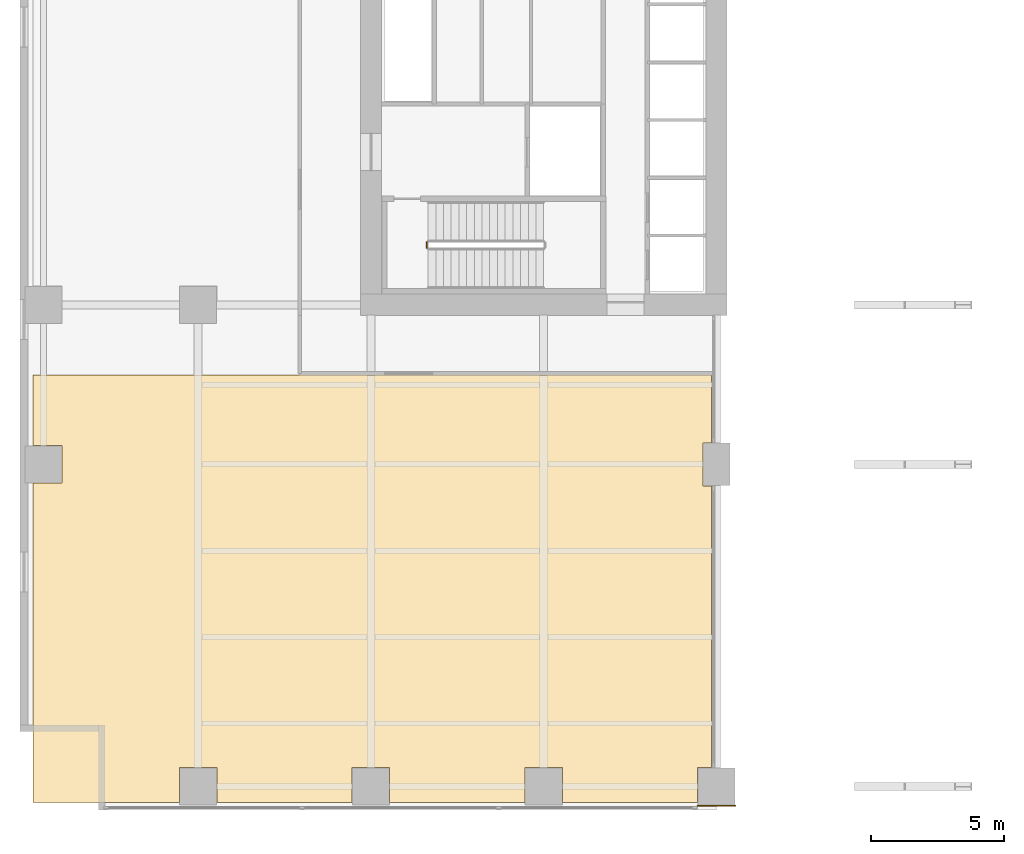
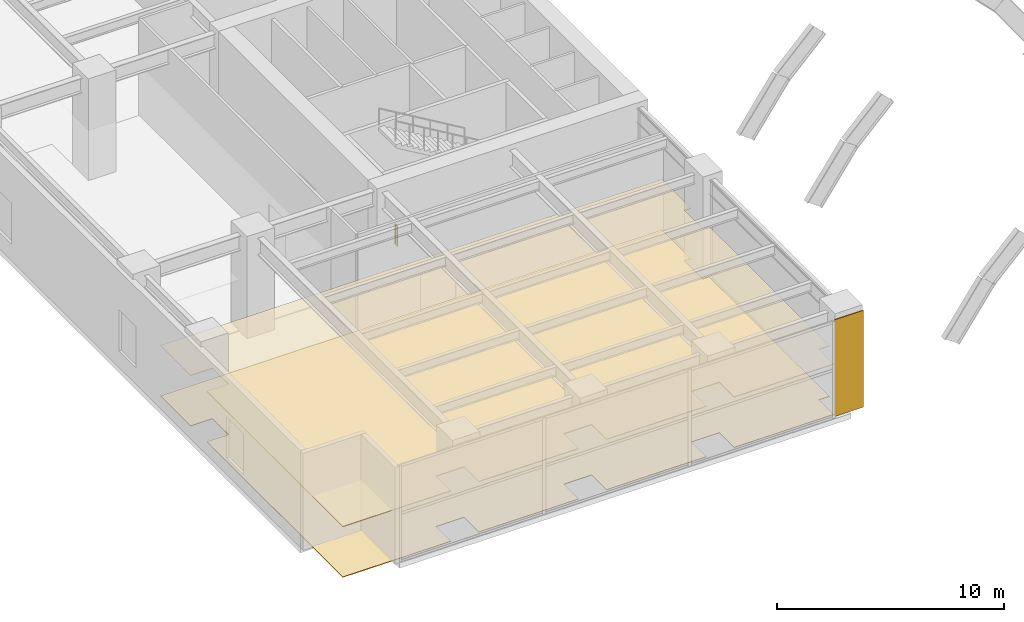
# One storey, part 14 of 18: 3 coverings, 1 railing.
"""IFC4 building model written with IfcOpenShell, lengths in metres."""

from ifc_helpers import new_model, si_unit, direction, frame, origin, origin_2d, place, context, subcontext, project, spatial, polyline, rectangle, circle, outline, extrude, material, layer, layer_set, type_object, element, save


model = new_model("IFC4")

# Units and contexts
model_context = context("Model", 3, precision=1e-05, world=origin(), true_north=direction((0.0, 1.0)))
body_context = subcontext(model_context, "Body", "Model", "MODEL_VIEW")
ifc_project = project(units=[si_unit("LENGTHUNIT", "METRE"), si_unit("AREAUNIT", "SQUARE_METRE"), si_unit("VOLUMEUNIT", "CUBIC_METRE"), si_unit("PLANEANGLEUNIT", "RADIAN"), si_unit("MASSUNIT", "GRAM", prefix="KILO")], contexts=[model_context])

# Site, building, storey
site_placement = place(None, origin())
site = spatial("IfcSite", under=ifc_project, at=site_placement, CompositionType="ELEMENT")
building_placement = place(site_placement, origin())
building = spatial("IfcBuilding", under=site, at=building_placement, Name="Putna Gate Headquarters", CompositionType="ELEMENT")
storey_placement = place(building_placement, frame((0.0, 0.0, 11.5)))
storey = spatial("IfcBuildingStorey", under=building, at=storey_placement, Name="L02", CompositionType="ELEMENT", Elevation=11.5)

# Coverings
ifc_material_1 = material(Name="Perforated mineral-fibre acoustic ceiling tile")
ifc_layer_1 = layer(ifc_material_1, 0.0400390625)
ifc_layer_set_1 = layer_set([ifc_layer_1], Name="Perforated mineral-fibre acoustic ceiling tile")
covering_type_1 = type_object("IfcCoveringType", Name="COV-ACOUSTIC-CEILING", PredefinedType="CEILING", material=ifc_layer_set_1)
covering_1_placement = place(storey_placement, frame((0.0, 0.0, 2.7099609375)))
element("IfcCovering", 1, at=covering_1_placement, inside=storey, type_object=covering_type_1, Name="L02 Acoustic Ceiling Covering 1", PredefinedType="CEILING", context=body_context, shape_type="SweptSolid", body=[
    extrude(outline(polyline([(0.280029296875, 13.7080078125), (1.387939453125, 13.7080078125), (1.387939453125, 12.2919921875), (0.280029296875, 12.2919921875), (0.280029296875, 0.280029296875), (5.7919921875, 0.280029296875), (5.7919921875, 1.587890625), (7.2080078125, 1.587890625), (7.2080078125, 0.280029296875), (12.2919921875, 0.280029296875), (12.2919921875, 1.587890625), (13.7080078125, 1.587890625), (13.7080078125, 0.280029296875), (18.7919921875, 0.280029296875), (18.7919921875, 1.587890625), (20.2080078125, 1.587890625), (20.2080078125, 0.280029296875), (25.2919921875, 0.280029296875), (25.2919921875, 1.587890625), (25.820068359375, 1.587890625), (25.820068359375, 12.19189453125), (25.491943359375, 12.19189453125), (25.491943359375, 13.80810546875), (25.820068359375, 13.80810546875), (25.820068359375, 16.3701171875), (0.280029296875, 16.3701171875), (0.280029296875, 13.7080078125)])), origin(), (0.0, 0.0, 1.0), 0.0400390625),
])
ifc_material_2 = material(Name="Anodised architectural bronze rainscreen cladding", Category="aluminium")
ifc_layer_2 = layer(ifc_material_2, 0.0400390625)
ifc_layer_set_2 = layer_set([ifc_layer_2], Name="Anodised architectural bronze rainscreen cladding")
covering_type_2 = type_object("IfcCoveringType", Name="COV-BRONZE-CLADDING", PredefinedType="CLADDING", material=ifc_layer_set_2)
covering_2_placement = place(storey_placement, frame((26.0, 0.1650390625, 0.0), z_axis=(0.0, 0.0, 1.0), x_axis=(1.0, 0.0, 0.0)))
element("IfcCovering", 2, at=covering_2_placement, inside=storey, type_object=covering_type_2, Name="L02 Giant Arch Pier Bronze Cladding WS", PredefinedType="CLADDING", context=body_context, shape_type="SweptSolid", body=[
    extrude(rectangle(XDim=1.43994140625, YDim=0.0400390625, at=origin_2d()), origin(), (0.0, 0.0, 1.0), 5.219970703125),
])
ifc_material_3 = material(Name="Calcium-sulphate raised access floor finish")
ifc_layer_3 = layer(ifc_material_3, 0.030029296875)
ifc_layer_set_3 = layer_set([ifc_layer_3], Name="Calcium-sulphate raised access floor finish")
covering_type_3 = type_object("IfcCoveringType", Name="COV-RAISED-FLOORING", PredefinedType="FLOORING", material=ifc_layer_set_3)
covering_3_placement = place(storey_placement, origin())
element("IfcCovering", 3, at=covering_3_placement, inside=storey, type_object=covering_type_3, Name="L02 Raised Access Floor Covering 1", PredefinedType="FLOORING", context=body_context, shape_type="SweptSolid", body=[
    extrude(outline(polyline([(0.280029296875, 13.7080078125), (1.387939453125, 13.7080078125), (1.387939453125, 12.2919921875), (0.280029296875, 12.2919921875), (0.280029296875, 0.280029296875), (5.7919921875, 0.280029296875), (5.7919921875, 1.587890625), (7.2080078125, 1.587890625), (7.2080078125, 0.280029296875), (12.2919921875, 0.280029296875), (12.2919921875, 1.587890625), (13.7080078125, 1.587890625), (13.7080078125, 0.280029296875), (18.7919921875, 0.280029296875), (18.7919921875, 1.587890625), (20.2080078125, 1.587890625), (20.2080078125, 0.280029296875), (25.2919921875, 0.280029296875), (25.2919921875, 1.587890625), (25.820068359375, 1.587890625), (25.820068359375, 12.19189453125), (25.491943359375, 12.19189453125), (25.491943359375, 13.80810546875), (25.820068359375, 13.80810546875), (25.820068359375, 16.3701171875), (0.280029296875, 16.3701171875), (0.280029296875, 13.7080078125)])), origin(), (0.0, 0.0, 1.0), 0.030029296875),
])

# Railing
ifc_material_4 = material(Name="Powder-coated steel stair guardrail", Category="steel")
railing_type = type_object("IfcRailingType", Name="RAIL-STAIR-GUARD-1100", PredefinedType="GUARDRAIL", material=ifc_material_4)
railing_placement = place(storey_placement, frame((15.10009765625, 21.14990234375, 0.0)))
element("IfcRailing", 4, at=railing_placement, inside=storey, type_object=railing_type, Name="L02 ST1 stair guard 4", PredefinedType="GUARDRAIL", context=body_context, shape_type="SweptSolid", body=[
    extrude(circle(Radius=0.02392578125, at=origin_2d()), frame((0.0, 0.0, 1.076171875), z_axis=(0.0, 1.0, 0.0), x_axis=(-1.0, 0.0, 0.0)), (0.0, 0.0, 1.0), 0.2001953125),
    extrude(circle(Radius=0.02099609375, at=origin_2d()), origin(), (0.0, 0.0, 1.0), 1.052001953125),
    extrude(circle(Radius=0.02099609375, at=origin_2d()), frame((0.0, 0.2001953125, 0.0)), (0.0, 0.0, 1.0), 1.052001953125),
])

save(model, "model.ifc")
